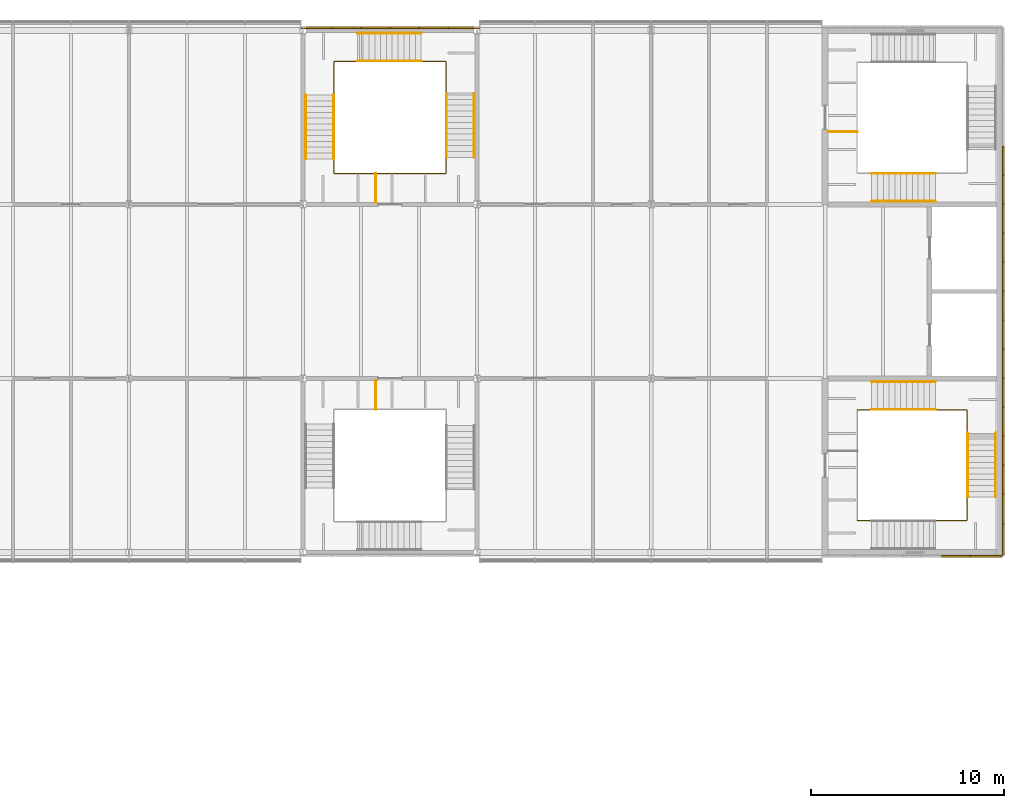
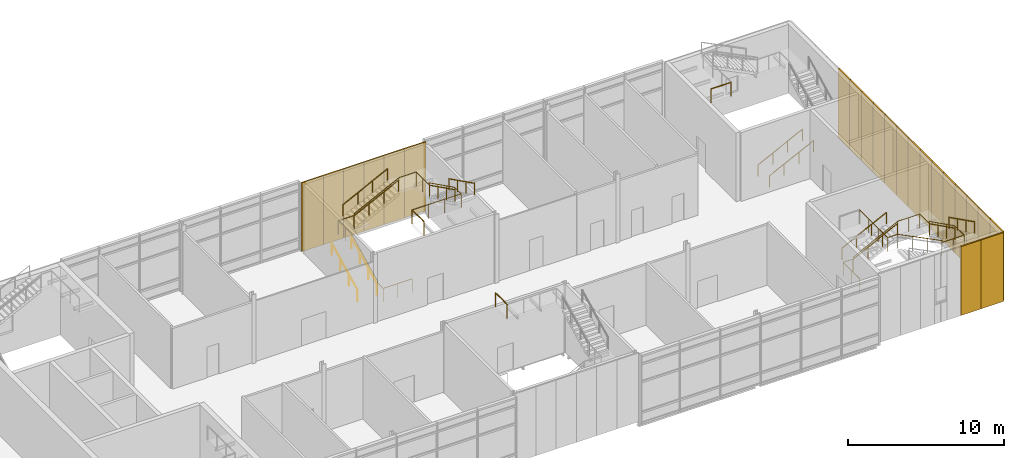
# One storey, part 51 of 52: 22 coverings, 17 railings.
"""IFC4 building model written with IfcOpenShell, lengths in metres."""

from ifc_helpers import new_model, si_unit, direction, frame, origin, origin_2d, place, context, subcontext, project, spatial, rectangle, circle, extrude, material, layer, layer_set, type_object, element, save


model = new_model("IFC4")

# Units and contexts
model_context = context("Model", 3, precision=1e-05, world=origin(), true_north=direction((0.0, 1.0)))
body_context = subcontext(model_context, "Body", "Model", "MODEL_VIEW")
ifc_project = project(units=[si_unit("LENGTHUNIT", "METRE"), si_unit("AREAUNIT", "SQUARE_METRE"), si_unit("VOLUMEUNIT", "CUBIC_METRE"), si_unit("PLANEANGLEUNIT", "RADIAN"), si_unit("MASSUNIT", "GRAM", prefix="KILO")], contexts=[model_context])

# Site, building, storey
site_placement = place(None, origin())
site = spatial("IfcSite", under=ifc_project, at=site_placement, CompositionType="ELEMENT")
building_placement = place(site_placement, origin())
building = spatial("IfcBuilding", under=site, at=building_placement, Name="Azimuth Sports and Learning Centre", CompositionType="ELEMENT")
storey_placement = place(building_placement, frame((0.0, 0.0, 16.199951171875)))
storey = spatial("IfcBuildingStorey", under=building, at=storey_placement, Name="L03", CompositionType="ELEMENT", Elevation=16.199951171875)

# Coverings
ifc_material_1 = material(Name="Cladding panel")
ifc_layer = layer(ifc_material_1, 0.10009765625)
ifc_layer_set = layer_set([ifc_layer], Name="Cladding panel")
covering_type = type_object("IfcCoveringType", Name="Cladding panel 100", PredefinedType="CLADDING", material=ifc_layer_set)
covering_1_placement = place(storey_placement, frame((168.75, 89.800048828125, 0.0), z_axis=(0.0, 0.0, 1.0), x_axis=(1.0, 0.0, 0.0)))
element("IfcCovering", 1, at=covering_1_placement, inside=storey, type_object=covering_type, Name="Cladding panel S-END E L03 9", PredefinedType="CLADDING", context=body_context, shape_type="SweptSolid", body=[
    extrude(rectangle(XDim=1.5, YDim=0.10009765625, at=origin_2d()), origin(), (0.0, 0.0, 1.0), 5.39990234375),
])
for number, where, z_axis, x_axis, name in (
    (2, (170.324951171875, 89.800048828125, 0.0), (0.0, 0.0, 1.0), (1.0, 0.0, 0.0), "Cladding panel S-END E L03 10"),
    (3, (171.199951171875, 90.675048828125, 0.0), (0.0, 0.0, 1.0), (0.0, 1.0, 0.0), "Cladding panel E-END E L03 1"),
):
    element("IfcCovering", number, at=place(storey_placement, frame(where, z_axis=z_axis, x_axis=x_axis)), inside=storey, type_object=covering_type, Name=name, PredefinedType="CLADDING", context=body_context, shape_type="SweptSolid", body=[
        extrude(rectangle(XDim=1.64990234375, YDim=0.10009765625, at=origin_2d()), origin(), (0.0, 0.0, 1.0), 5.39990234375),
    ])
for number, where, z_axis, x_axis, name in (
    (4, (171.199951171875, 92.25, 0.0), (0.0, 0.0, 1.0), (0.0, 1.0, 0.0), "Cladding panel E-END E L03 2"),
    (5, (171.199951171875, 93.75, 0.0), (0.0, 0.0, 1.0), (0.0, 1.0, 0.0), "Cladding panel E-END E L03 3"),
    (6, (171.199951171875, 95.25, 0.0), (0.0, 0.0, 1.0), (0.0, 1.0, 0.0), "Cladding panel E-END E L03 4"),
    (7, (171.199951171875, 96.75, 0.0), (0.0, 0.0, 1.0), (0.0, 1.0, 0.0), "Cladding panel E-END E L03 5"),
    (8, (171.199951171875, 98.25, 0.0), (0.0, 0.0, 1.0), (0.0, 1.0, 0.0), "Cladding panel E-END E L03 6"),
    (9, (171.199951171875, 99.75, 0.0), (0.0, 0.0, 1.0), (0.0, 1.0, 0.0), "Cladding panel E-END E L03 7"),
    (10, (171.199951171875, 101.25, 0.0), (0.0, 0.0, 1.0), (0.0, 1.0, 0.0), "Cladding panel E-END E L03 8"),
    (11, (171.199951171875, 102.75, 0.0), (0.0, 0.0, 1.0), (0.0, 1.0, 0.0), "Cladding panel E-END E L03 9"),
    (12, (171.199951171875, 104.25, 0.0), (0.0, 0.0, 1.0), (0.0, 1.0, 0.0), "Cladding panel E-END E L03 10"),
    (13, (171.199951171875, 105.75, 0.0), (0.0, 0.0, 1.0), (0.0, 1.0, 0.0), "Cladding panel E-END E L03 11"),
    (14, (171.199951171875, 107.25, 0.0), (0.0, 0.0, 1.0), (0.0, 1.0, 0.0), "Cladding panel E-END E L03 12"),
    (15, (171.199951171875, 108.75, 0.0), (0.0, 0.0, 1.0), (0.0, 1.0, 0.0), "Cladding panel E-END E L03 13"),
    (16, (171.199951171875, 110.25, 0.0), (0.0, 0.0, 1.0), (0.0, 1.0, 0.0), "Cladding panel E-END E L03 14"),
):
    element("IfcCovering", number, at=place(storey_placement, frame(where, z_axis=z_axis, x_axis=x_axis)), inside=storey, type_object=covering_type, Name=name, PredefinedType="CLADDING", context=body_context, shape_type="SweptSolid", body=[
        extrude(rectangle(XDim=1.5, YDim=0.10009765625, at=origin_2d()), origin(), (0.0, 0.0, 1.0), 5.39990234375),
    ])
covering_2_placement = place(storey_placement, frame((143.300048828125, 117.14990234375, 0.0), z_axis=(0.0, 0.0, 1.0), x_axis=(-1.0, 0.0, 0.0)))
element("IfcCovering", 17, at=covering_2_placement, inside=storey, type_object=covering_type, Name="Cladding panel N-EM2 L03 1", PredefinedType="CLADDING", context=body_context, shape_type="SweptSolid", body=[
    extrude(rectangle(XDim=1.60009765625, YDim=0.10009765625, at=origin_2d()), origin(), (0.0, 0.0, 1.0), 5.39990234375),
])
for number, where, z_axis, x_axis, name in (
    (18, (141.75, 117.14990234375, 0.0), (0.0, 0.0, 1.0), (-1.0, 0.0, 0.0), "Cladding panel N-EM2 L03 2"),
    (19, (140.25, 117.14990234375, 0.0), (0.0, 0.0, 1.0), (-1.0, 0.0, 0.0), "Cladding panel N-EM2 L03 3"),
    (20, (138.75, 117.14990234375, 0.0), (0.0, 0.0, 1.0), (-1.0, 0.0, 0.0), "Cladding panel N-EM2 L03 4"),
    (21, (137.25, 117.14990234375, 0.0), (0.0, 0.0, 1.0), (-1.0, 0.0, 0.0), "Cladding panel N-EM2 L03 5"),
):
    element("IfcCovering", number, at=place(storey_placement, frame(where, z_axis=z_axis, x_axis=x_axis)), inside=storey, type_object=covering_type, Name=name, PredefinedType="CLADDING", context=body_context, shape_type="SweptSolid", body=[
        extrude(rectangle(XDim=1.5, YDim=0.10009765625, at=origin_2d()), origin(), (0.0, 0.0, 1.0), 5.39990234375),
    ])
covering_3_placement = place(storey_placement, frame((135.699951171875, 117.14990234375, 0.0), z_axis=(0.0, 0.0, 1.0), x_axis=(-1.0, 0.0, 0.0)))
element("IfcCovering", 22, at=covering_3_placement, inside=storey, type_object=covering_type, Name="Cladding panel N-EM2 L03 6", PredefinedType="CLADDING", context=body_context, shape_type="SweptSolid", body=[
    extrude(rectangle(XDim=1.60009765625, YDim=0.10009765625, at=origin_2d()), origin(), (0.0, 0.0, 1.0), 5.39990234375),
])

# Railings
ifc_material_2 = material(Name="Stainless steel", Category="steel")
railing_type_1 = type_object("IfcRailingType", Name="Stair guard 1100", PredefinedType="GUARDRAIL", material=ifc_material_2)
railing_1_placement = place(storey_placement, frame((163.659912109375, 95.25, 0.0)))
element("IfcRailing", 23, at=railing_1_placement, inside=storey, type_object=railing_type_1, Name="Guard EW1 L03 well", PredefinedType="GUARDRAIL", context=body_context, shape_type="SweptSolid", body=[
    extrude(circle(Radius=0.02392578125, at=origin_2d()), frame((0.0, 0.0, 1.076171875), z_axis=(0.0, 1.0, 0.0), x_axis=(-1.0, 0.0, 0.0)), (0.0, 0.0, 1.0), 2.114990234375),
    extrude(circle(Radius=0.02392578125, at=origin_2d()), frame((0.0, 2.114990234375, 1.076171875), z_axis=(1.0, 0.0, 0.0), x_axis=(0.0, 1.0, 0.0)), (0.0, 0.0, 1.0), 0.75),
    extrude(circle(Radius=0.02392578125, at=origin_2d()), frame((0.75, 2.114990234375, 1.076171875), z_axis=(0.0, 0.0, 1.0), x_axis=(1.0, 0.0, 0.0)), (0.0, 0.0, 1.0), 0.150146484375),
    extrude(circle(Radius=0.02392578125, at=origin_2d()), frame((0.75, 2.114990234375, 1.22607421875), z_axis=(0.894440424912, 0.0, 0.447187126696), x_axis=(0.0, 1.0, 0.0)), (0.0, 0.0, 1.0), 3.689453125),
    extrude(circle(Radius=0.02392578125, at=origin_2d()), frame((4.050048828125, 2.114990234375, 2.8759765625), z_axis=(1.0, 0.0, 0.0), x_axis=(0.0, 1.0, 0.0)), (0.0, 0.0, 1.0), 1.630126953125),
    extrude(circle(Radius=0.02392578125, at=origin_2d()), frame((5.68017578125, 2.114990234375, 2.8759765625), z_axis=(0.0, -1.0, 0.0), x_axis=(1.0, 0.0, 0.0)), (0.0, 0.0, 1.0), 1.199951171875),
    extrude(circle(Radius=0.02392578125, at=origin_2d()), frame((5.68017578125, 0.9150390625, 2.8759765625), z_axis=(0.0, 0.0, 1.0), x_axis=(1.0, 0.0, 0.0)), (0.0, 0.0, 1.0), 0.14990234375),
    extrude(circle(Radius=0.02392578125, at=origin_2d()), frame((5.68017578125, 0.9150390625, 3.02587890625), z_axis=(0.0, -0.894413956696, 0.447240063129), x_axis=(1.0, 0.0, 0.0)), (0.0, 0.0, 1.0), 3.689697265625),
    extrude(circle(Radius=0.02392578125, at=origin_2d()), frame((5.68017578125, -2.385009765625, 4.67626953125), z_axis=(0.0, -1.0, 0.0), x_axis=(1.0, 0.0, 0.0)), (0.0, 0.0, 1.0), 1.205078125),
    extrude(circle(Radius=0.02392578125, at=origin_2d()), frame((5.68017578125, -3.590087890625, 4.67626953125), z_axis=(-1.0, 0.0, 0.0), x_axis=(0.0, -1.0, 0.0)), (0.0, 0.0, 1.0), 1.650146484375),
    extrude(circle(Radius=0.02392578125, at=origin_2d()), frame((4.030029296875, -3.590087890625, 4.67626953125), z_axis=(0.0, 0.0, 1.0), x_axis=(1.0, 0.0, 0.0)), (0.0, 0.0, 1.0), 0.14990234375),
    extrude(circle(Radius=0.02392578125, at=origin_2d()), frame((4.030029296875, -3.590087890625, 4.826171875), z_axis=(-0.894413956696, 0.0, 0.447240063129), x_axis=(0.0, -1.0, 0.0)), (0.0, 0.0, 1.0), 3.689697265625),
    extrude(circle(Radius=0.02392578125, at=origin_2d()), frame((0.72998046875, -3.590087890625, 6.47607421875), z_axis=(-1.0, 0.0, 0.0), x_axis=(0.0, -1.0, 0.0)), (0.0, 0.0, 1.0), 0.72998046875),
    extrude(circle(Radius=0.02392578125, at=origin_2d()), frame((0.0, -3.590087890625, 6.47607421875), z_axis=(0.0, 1.0, 0.0), x_axis=(-1.0, 0.0, 0.0)), (0.0, 0.0, 1.0), 3.590087890625),
    extrude(circle(Radius=0.01611328125, at=origin_2d()), origin(), (0.0, 0.0, 1.0), 1.052001953125),
    extrude(circle(Radius=0.01611328125, at=origin_2d()), frame((0.0, 1.0576171875, 0.0)), (0.0, 0.0, 1.0), 1.052001953125),
    extrude(circle(Radius=0.01611328125, at=origin_2d()), frame((0.0, 2.114990234375, 0.0)), (0.0, 0.0, 1.0), 1.052001953125),
    extrude(circle(Radius=0.01611328125, at=origin_2d()), frame((0.75, 2.114990234375, 0.0)), (0.0, 0.0, 1.0), 1.052001953125),
    extrude(circle(Radius=0.01611328125, at=origin_2d()), frame((0.75, 2.114990234375, 0.150146484375)), (0.0, 0.0, 1.0), 1.052001953125),
    extrude(circle(Radius=0.01611328125, at=origin_2d()), frame((1.85009765625, 2.114990234375, 0.7001953125)), (0.0, 0.0, 1.0), 1.052001953125),
    extrude(circle(Radius=0.01611328125, at=origin_2d()), frame((2.949951171875, 2.114990234375, 1.25)), (0.0, 0.0, 1.0), 1.052001953125),
    extrude(circle(Radius=0.01611328125, at=origin_2d()), frame((4.050048828125, 2.114990234375, 1.800048828125)), (0.0, 0.0, 1.0), 1.052001953125),
    extrude(circle(Radius=0.01611328125, at=origin_2d()), frame((4.865234375, 2.114990234375, 1.800048828125)), (0.0, 0.0, 1.0), 1.052001953125),
    extrude(circle(Radius=0.01611328125, at=origin_2d()), frame((5.68017578125, 2.114990234375, 1.800048828125)), (0.0, 0.0, 1.0), 1.052001953125),
    extrude(circle(Radius=0.01611328125, at=origin_2d()), frame((5.68017578125, 0.9150390625, 1.800048828125)), (0.0, 0.0, 1.0), 1.052001953125),
    extrude(circle(Radius=0.01611328125, at=origin_2d()), frame((5.68017578125, 0.9150390625, 1.949951171875)), (0.0, 0.0, 1.0), 1.052001953125),
    extrude(circle(Radius=0.01611328125, at=origin_2d()), frame((5.68017578125, -0.18505859375, 2.5)), (0.0, 0.0, 1.0), 1.052001953125),
    extrude(circle(Radius=0.01611328125, at=origin_2d()), frame((5.68017578125, -1.284912109375, 3.050048828125)), (0.0, 0.0, 1.0), 1.052001953125),
    extrude(circle(Radius=0.01611328125, at=origin_2d()), frame((5.68017578125, -2.385009765625, 3.60009765625)), (0.0, 0.0, 1.0), 1.052001953125),
    extrude(circle(Radius=0.01611328125, at=origin_2d()), frame((5.68017578125, -3.590087890625, 3.60009765625)), (0.0, 0.0, 1.0), 1.052001953125),
    extrude(circle(Radius=0.01611328125, at=origin_2d()), frame((4.85498046875, -3.590087890625, 3.60009765625)), (0.0, 0.0, 1.0), 1.052001953125),
    extrude(circle(Radius=0.01611328125, at=origin_2d()), frame((4.030029296875, -3.590087890625, 3.60009765625)), (0.0, 0.0, 1.0), 1.052001953125),
    extrude(circle(Radius=0.01611328125, at=origin_2d()), frame((4.030029296875, -3.590087890625, 3.75)), (0.0, 0.0, 1.0), 1.052001953125),
    extrude(circle(Radius=0.01611328125, at=origin_2d()), frame((2.929931640625, -3.590087890625, 4.300048828125)), (0.0, 0.0, 1.0), 1.052001953125),
    extrude(circle(Radius=0.01611328125, at=origin_2d()), frame((1.830078125, -3.590087890625, 4.85009765625)), (0.0, 0.0, 1.0), 1.052001953125),
    extrude(circle(Radius=0.01611328125, at=origin_2d()), frame((0.72998046875, -3.590087890625, 5.400146484375)), (0.0, 0.0, 1.0), 1.052001953125),
    extrude(circle(Radius=0.01611328125, at=origin_2d()), frame((0.0, -3.590087890625, 5.400146484375)), (0.0, 0.0, 1.0), 1.052001953125),
    extrude(circle(Radius=0.01611328125, at=origin_2d()), frame((0.0, -2.393310546875, 5.400146484375)), (0.0, 0.0, 1.0), 1.052001953125),
    extrude(circle(Radius=0.01611328125, at=origin_2d()), frame((0.0, -1.19677734375, 5.400146484375)), (0.0, 0.0, 1.0), 1.052001953125),
    extrude(circle(Radius=0.01611328125, at=origin_2d()), frame((0.0, 0.0, 5.400146484375)), (0.0, 0.0, 1.0), 1.052001953125),
])
railing_2_placement = place(storey_placement, frame((163.659912109375, 111.75, 5.400146484375)))
element("IfcRailing", 24, at=railing_2_placement, inside=storey, type_object=railing_type_1, Name="Guard EW2 L03 top landing end", PredefinedType="GUARDRAIL", context=body_context, shape_type="SweptSolid", body=[
    extrude(circle(Radius=0.02392578125, at=origin_2d()), frame((0.0, 0.0, 1.076171875), z_axis=(-1.0, 0.0, 0.0), x_axis=(0.0, -1.0, 0.0)), (0.0, 0.0, 1.0), 1.5),
    extrude(circle(Radius=0.01611328125, at=origin_2d()), origin(), (0.0, 0.0, 1.0), 1.052001953125),
    extrude(circle(Radius=0.01611328125, at=origin_2d()), frame((-1.5, 0.0, 0.0)), (0.0, 0.0, 1.0), 1.052001953125),
])
railing_3_placement = place(storey_placement, frame((138.75, 97.389892578125, 5.400146484375)))
element("IfcRailing", 25, at=railing_3_placement, inside=storey, type_object=railing_type_1, Name="Guard EM1 L03 top landing end", PredefinedType="GUARDRAIL", context=body_context, shape_type="SweptSolid", body=[
    extrude(circle(Radius=0.02392578125, at=origin_2d()), frame((0.0, 0.0, 1.076171875), z_axis=(0.0, 1.0, 0.0), x_axis=(-1.0, 0.0, 0.0)), (0.0, 0.0, 1.0), 1.5),
    extrude(circle(Radius=0.01611328125, at=origin_2d()), origin(), (0.0, 0.0, 1.0), 1.052001953125),
    extrude(circle(Radius=0.01611328125, at=origin_2d()), frame((0.0, 1.5, 0.0)), (0.0, 0.0, 1.0), 1.052001953125),
])
railing_4_placement = place(storey_placement, frame((138.75, 109.610107421875, 0.0)))
element("IfcRailing", 26, at=railing_4_placement, inside=storey, type_object=railing_type_1, Name="Guard EM2 L03 well", PredefinedType="GUARDRAIL", context=body_context, shape_type="SweptSolid", body=[
    extrude(circle(Radius=0.02392578125, at=origin_2d()), frame((0.0, 0.0, 1.076171875), z_axis=(-1.0, 0.0, 0.0), x_axis=(0.0, -1.0, 0.0)), (0.0, 0.0, 1.0), 2.139892578125),
    extrude(circle(Radius=0.02392578125, at=origin_2d()), frame((-2.139892578125, 0.0, 1.076171875), z_axis=(0.0, 1.0, 0.0), x_axis=(-1.0, 0.0, 0.0)), (0.0, 0.0, 1.0), 0.75),
    extrude(circle(Radius=0.02392578125, at=origin_2d()), frame((-2.139892578125, 0.75, 1.076171875), z_axis=(0.0, 0.0, 1.0), x_axis=(1.0, 0.0, 0.0)), (0.0, 0.0, 1.0), 0.150146484375),
    extrude(circle(Radius=0.02392578125, at=origin_2d()), frame((-2.139892578125, 0.75, 1.22607421875), z_axis=(0.0, 0.894427191, 0.4472135955), x_axis=(-1.0, 0.0, 0.0)), (0.0, 0.0, 1.0), 3.689208984375),
    extrude(circle(Radius=0.02392578125, at=origin_2d()), frame((-2.139892578125, 4.0498046875, 2.8759765625), z_axis=(0.0, 1.0, 0.0), x_axis=(-1.0, 0.0, 0.0)), (0.0, 0.0, 1.0), 1.72998046875),
    extrude(circle(Radius=0.02392578125, at=origin_2d()), frame((-2.139892578125, 5.77978515625, 2.8759765625), z_axis=(1.0, 0.0, 0.0), x_axis=(0.0, 1.0, 0.0)), (0.0, 0.0, 1.0), 1.199951171875),
    extrude(circle(Radius=0.02392578125, at=origin_2d()), frame((-0.93994140625, 5.77978515625, 2.8759765625), z_axis=(0.0, 0.0, 1.0), x_axis=(1.0, 0.0, 0.0)), (0.0, 0.0, 1.0), 0.14990234375),
    extrude(circle(Radius=0.02392578125, at=origin_2d()), frame((-0.93994140625, 5.77978515625, 3.02587890625), z_axis=(0.894413956696, 0.0, 0.447240063129), x_axis=(0.0, 1.0, 0.0)), (0.0, 0.0, 1.0), 3.689697265625),
    extrude(circle(Radius=0.02392578125, at=origin_2d()), frame((2.360107421875, 5.77978515625, 4.67626953125), z_axis=(1.0, 0.0, 0.0), x_axis=(0.0, 1.0, 0.0)), (0.0, 0.0, 1.0), 1.27978515625),
    extrude(circle(Radius=0.02392578125, at=origin_2d()), frame((3.639892578125, 5.77978515625, 4.67626953125), z_axis=(0.0, -1.0, 0.0), x_axis=(1.0, 0.0, 0.0)), (0.0, 0.0, 1.0), 1.64990234375),
    extrude(circle(Radius=0.02392578125, at=origin_2d()), frame((3.639892578125, 4.1298828125, 4.67626953125), z_axis=(0.0, 0.0, 1.0), x_axis=(1.0, 0.0, 0.0)), (0.0, 0.0, 1.0), 0.14990234375),
    extrude(circle(Radius=0.02392578125, at=origin_2d()), frame((3.639892578125, 4.1298828125, 4.826171875), z_axis=(0.0, -0.894413956696, 0.447240063129), x_axis=(1.0, 0.0, 0.0)), (0.0, 0.0, 1.0), 3.689697265625),
    extrude(circle(Radius=0.02392578125, at=origin_2d()), frame((3.639892578125, 0.829833984375, 6.47607421875), z_axis=(0.0, -1.0, 0.0), x_axis=(1.0, 0.0, 0.0)), (0.0, 0.0, 1.0), 0.829833984375),
    extrude(circle(Radius=0.02392578125, at=origin_2d()), frame((3.639892578125, 0.0, 6.47607421875), z_axis=(-1.0, 0.0, 0.0), x_axis=(0.0, -1.0, 0.0)), (0.0, 0.0, 1.0), 3.639892578125),
    extrude(circle(Radius=0.01611328125, at=origin_2d()), origin(), (0.0, 0.0, 1.0), 1.052001953125),
    extrude(circle(Radius=0.01611328125, at=origin_2d()), frame((-1.06982421875, 0.0, 0.0)), (0.0, 0.0, 1.0), 1.052001953125),
    extrude(circle(Radius=0.01611328125, at=origin_2d()), frame((-2.139892578125, 0.0, 0.0)), (0.0, 0.0, 1.0), 1.052001953125),
    extrude(circle(Radius=0.01611328125, at=origin_2d()), frame((-2.139892578125, 0.75, 0.0)), (0.0, 0.0, 1.0), 1.052001953125),
    extrude(circle(Radius=0.01611328125, at=origin_2d()), frame((-2.139892578125, 0.75, 0.150146484375)), (0.0, 0.0, 1.0), 1.052001953125),
    extrude(circle(Radius=0.01611328125, at=origin_2d()), frame((-2.139892578125, 1.849853515625, 0.7001953125)), (0.0, 0.0, 1.0), 1.052001953125),
    extrude(circle(Radius=0.01611328125, at=origin_2d()), frame((-2.139892578125, 2.949951171875, 1.25)), (0.0, 0.0, 1.0), 1.052001953125),
    extrude(circle(Radius=0.01611328125, at=origin_2d()), frame((-2.139892578125, 4.0498046875, 1.800048828125)), (0.0, 0.0, 1.0), 1.052001953125),
    extrude(circle(Radius=0.01611328125, at=origin_2d()), frame((-2.139892578125, 4.914794921875, 1.800048828125)), (0.0, 0.0, 1.0), 1.052001953125),
    extrude(circle(Radius=0.01611328125, at=origin_2d()), frame((-2.139892578125, 5.77978515625, 1.800048828125)), (0.0, 0.0, 1.0), 1.052001953125),
    extrude(circle(Radius=0.01611328125, at=origin_2d()), frame((-0.93994140625, 5.77978515625, 1.800048828125)), (0.0, 0.0, 1.0), 1.052001953125),
    extrude(circle(Radius=0.01611328125, at=origin_2d()), frame((-0.93994140625, 5.77978515625, 1.949951171875)), (0.0, 0.0, 1.0), 1.052001953125),
    extrude(circle(Radius=0.01611328125, at=origin_2d()), frame((0.16015625, 5.77978515625, 2.5)), (0.0, 0.0, 1.0), 1.052001953125),
    extrude(circle(Radius=0.01611328125, at=origin_2d()), frame((1.260009765625, 5.77978515625, 3.050048828125)), (0.0, 0.0, 1.0), 1.052001953125),
    extrude(circle(Radius=0.01611328125, at=origin_2d()), frame((2.360107421875, 5.77978515625, 3.60009765625)), (0.0, 0.0, 1.0), 1.052001953125),
    extrude(circle(Radius=0.01611328125, at=origin_2d()), frame((3.639892578125, 5.77978515625, 3.60009765625)), (0.0, 0.0, 1.0), 1.052001953125),
    extrude(circle(Radius=0.01611328125, at=origin_2d()), frame((3.639892578125, 4.954833984375, 3.60009765625)), (0.0, 0.0, 1.0), 1.052001953125),
    extrude(circle(Radius=0.01611328125, at=origin_2d()), frame((3.639892578125, 4.1298828125, 3.60009765625)), (0.0, 0.0, 1.0), 1.052001953125),
    extrude(circle(Radius=0.01611328125, at=origin_2d()), frame((3.639892578125, 4.1298828125, 3.75)), (0.0, 0.0, 1.0), 1.052001953125),
    extrude(circle(Radius=0.01611328125, at=origin_2d()), frame((3.639892578125, 3.02978515625, 4.300048828125)), (0.0, 0.0, 1.0), 1.052001953125),
    extrude(circle(Radius=0.01611328125, at=origin_2d()), frame((3.639892578125, 1.929931640625, 4.85009765625)), (0.0, 0.0, 1.0), 1.052001953125),
    extrude(circle(Radius=0.01611328125, at=origin_2d()), frame((3.639892578125, 0.829833984375, 5.400146484375)), (0.0, 0.0, 1.0), 1.052001953125),
    extrude(circle(Radius=0.01611328125, at=origin_2d()), frame((3.639892578125, 0.0, 5.400146484375)), (0.0, 0.0, 1.0), 1.052001953125),
    extrude(circle(Radius=0.01611328125, at=origin_2d()), frame((2.426513671875, 0.0, 5.400146484375)), (0.0, 0.0, 1.0), 1.052001953125),
    extrude(circle(Radius=0.01611328125, at=origin_2d()), frame((1.21337890625, 0.0, 5.400146484375)), (0.0, 0.0, 1.0), 1.052001953125),
    extrude(circle(Radius=0.01611328125, at=origin_2d()), frame((0.0, 0.0, 5.400146484375)), (0.0, 0.0, 1.0), 1.052001953125),
])
railing_5_placement = place(storey_placement, frame((138.75, 108.110107421875, 5.400146484375)))
element("IfcRailing", 27, at=railing_5_placement, inside=storey, type_object=railing_type_1, Name="Guard EM2 L03 top landing end", PredefinedType="GUARDRAIL", context=body_context, shape_type="SweptSolid", body=[
    extrude(circle(Radius=0.02392578125, at=origin_2d()), frame((0.0, 0.0, 1.076171875), z_axis=(0.0, 1.0, 0.0), x_axis=(-1.0, 0.0, 0.0)), (0.0, 0.0, 1.0), 1.5),
    extrude(circle(Radius=0.01611328125, at=origin_2d()), origin(), (0.0, 0.0, 1.0), 1.052001953125),
    extrude(circle(Radius=0.01611328125, at=origin_2d()), frame((0.0, 1.5, 0.0)), (0.0, 0.0, 1.0), 1.052001953125),
])
ifc_material_3 = material(Name="Stainless steel", Category="steel")
railing_type_2 = type_object("IfcRailingType", Name="Stair handrail 42", PredefinedType="HANDRAIL", material=ifc_material_3)
for number, where, name in (
    (28, (164.409912109375, 97.39501953125, 0.150146484375), "Handrail EW1 L03 flight 1 inner"),
    (29, (164.409912109375, 98.8349609375, 0.150146484375), "Handrail EW1 L03 flight 1 outer"),
):
    element("IfcRailing", number, at=place(storey_placement, frame(where)), inside=storey, type_object=railing_type_2, Name=name, PredefinedType="HANDRAIL", context=body_context, shape_type="SweptSolid", body=[
        extrude(circle(Radius=0.02099609375, at=origin_2d()), frame((0.0, 0.0, 0.87890625), z_axis=(0.894440424912, 0.0, 0.447187126696), x_axis=(0.0, 1.0, 0.0)), (0.0, 0.0, 1.0), 3.689453125),
        extrude(circle(Radius=0.01611328125, at=origin_2d()), origin(), (0.0, 0.0, 1.0), 0.85791015625),
        extrude(circle(Radius=0.01611328125, at=origin_2d()), frame((1.10009765625, 0.0, 0.550048828125)), (0.0, 0.0, 1.0), 0.85791015625),
        extrude(circle(Radius=0.01611328125, at=origin_2d()), frame((2.199951171875, 0.0, 1.099853515625)), (0.0, 0.0, 1.0), 0.85791015625),
        extrude(circle(Radius=0.01611328125, at=origin_2d()), frame((3.300048828125, 0.0, 1.64990234375)), (0.0, 0.0, 1.0), 0.85791015625),
    ])
for number, where, name in (
    (30, (169.3701171875, 96.1650390625, 1.949951171875), "Handrail EW1 L03 flight 2 inner"),
    (31, (170.81005859375, 96.1650390625, 1.949951171875), "Handrail EW1 L03 flight 2 outer"),
):
    element("IfcRailing", number, at=place(storey_placement, frame(where)), inside=storey, type_object=railing_type_2, Name=name, PredefinedType="HANDRAIL", context=body_context, shape_type="SweptSolid", body=[
        extrude(circle(Radius=0.02099609375, at=origin_2d()), frame((0.0, 0.0, 0.87890625), z_axis=(0.0, -0.894413956696, 0.447240063129), x_axis=(1.0, 0.0, 0.0)), (0.0, 0.0, 1.0), 3.689697265625),
        extrude(circle(Radius=0.01611328125, at=origin_2d()), origin(), (0.0, 0.0, 1.0), 0.85791015625),
        extrude(circle(Radius=0.01611328125, at=origin_2d()), frame((0.0, -1.10009765625, 0.550048828125)), (0.0, 0.0, 1.0), 0.85791015625),
        extrude(circle(Radius=0.01611328125, at=origin_2d()), frame((0.0, -2.199951171875, 1.10009765625)), (0.0, 0.0, 1.0), 0.85791015625),
        extrude(circle(Radius=0.01611328125, at=origin_2d()), frame((0.0, -3.300048828125, 1.650146484375)), (0.0, 0.0, 1.0), 0.85791015625),
    ])
for number, where, name in (
    (32, (164.409912109375, 109.60498046875, 0.150146484375), "Handrail EW2 L03 flight 1 inner"),
    (33, (164.409912109375, 108.1650390625, 0.150146484375), "Handrail EW2 L03 flight 1 outer"),
):
    element("IfcRailing", number, at=place(storey_placement, frame(where)), inside=storey, type_object=railing_type_2, Name=name, PredefinedType="HANDRAIL", context=body_context, shape_type="SweptSolid", body=[
        extrude(circle(Radius=0.02099609375, at=origin_2d()), frame((0.0, 0.0, 0.87890625), z_axis=(0.894440424912, 0.0, 0.447187126696), x_axis=(0.0, 1.0, 0.0)), (0.0, 0.0, 1.0), 3.689453125),
        extrude(circle(Radius=0.01611328125, at=origin_2d()), origin(), (0.0, 0.0, 1.0), 0.85791015625),
        extrude(circle(Radius=0.01611328125, at=origin_2d()), frame((1.10009765625, 0.0, 0.550048828125)), (0.0, 0.0, 1.0), 0.85791015625),
        extrude(circle(Radius=0.01611328125, at=origin_2d()), frame((2.199951171875, 0.0, 1.099853515625)), (0.0, 0.0, 1.0), 0.85791015625),
        extrude(circle(Radius=0.01611328125, at=origin_2d()), frame((3.300048828125, 0.0, 1.64990234375)), (0.0, 0.0, 1.0), 0.85791015625),
    ])
for number, where, name in (
    (34, (136.580078125, 110.360107421875, 0.150146484375), "Handrail EM2 L03 flight 1 inner"),
    (35, (135.139892578125, 110.360107421875, 0.150146484375), "Handrail EM2 L03 flight 1 outer"),
):
    element("IfcRailing", number, at=place(storey_placement, frame(where)), inside=storey, type_object=railing_type_2, Name=name, PredefinedType="HANDRAIL", context=body_context, shape_type="SweptSolid", body=[
        extrude(circle(Radius=0.02099609375, at=origin_2d()), frame((0.0, 0.0, 0.87890625), z_axis=(0.0, 0.894427191, 0.4472135955), x_axis=(-1.0, 0.0, 0.0)), (0.0, 0.0, 1.0), 3.689208984375),
        extrude(circle(Radius=0.01611328125, at=origin_2d()), origin(), (0.0, 0.0, 1.0), 0.85791015625),
        extrude(circle(Radius=0.01611328125, at=origin_2d()), frame((0.0, 1.099853515625, 0.550048828125)), (0.0, 0.0, 1.0), 0.85791015625),
        extrude(circle(Radius=0.01611328125, at=origin_2d()), frame((0.0, 2.199951171875, 1.099853515625)), (0.0, 0.0, 1.0), 0.85791015625),
        extrude(circle(Radius=0.01611328125, at=origin_2d()), frame((0.0, 3.2998046875, 1.64990234375)), (0.0, 0.0, 1.0), 0.85791015625),
    ])
for number, where, name in (
    (36, (137.81005859375, 115.419921875, 1.949951171875), "Handrail EM2 L03 flight 2 inner"),
    (37, (137.81005859375, 116.860107421875, 1.949951171875), "Handrail EM2 L03 flight 2 outer"),
):
    element("IfcRailing", number, at=place(storey_placement, frame(where)), inside=storey, type_object=railing_type_2, Name=name, PredefinedType="HANDRAIL", context=body_context, shape_type="SweptSolid", body=[
        extrude(circle(Radius=0.02099609375, at=origin_2d()), frame((0.0, 0.0, 0.87890625), z_axis=(0.894413956696, 0.0, 0.447240063129), x_axis=(0.0, 1.0, 0.0)), (0.0, 0.0, 1.0), 3.689697265625),
        extrude(circle(Radius=0.01611328125, at=origin_2d()), origin(), (0.0, 0.0, 1.0), 0.85791015625),
        extrude(circle(Radius=0.01611328125, at=origin_2d()), frame((1.10009765625, 0.0, 0.550048828125)), (0.0, 0.0, 1.0), 0.85791015625),
        extrude(circle(Radius=0.01611328125, at=origin_2d()), frame((2.199951171875, 0.0, 1.10009765625)), (0.0, 0.0, 1.0), 0.85791015625),
        extrude(circle(Radius=0.01611328125, at=origin_2d()), frame((3.300048828125, 0.0, 1.650146484375)), (0.0, 0.0, 1.0), 0.85791015625),
    ])
for number, where, name in (
    (38, (142.419921875, 113.739990234375, 3.75), "Handrail EM2 L03 flight 3 inner"),
    (39, (143.860107421875, 113.739990234375, 3.75), "Handrail EM2 L03 flight 3 outer"),
):
    element("IfcRailing", number, at=place(storey_placement, frame(where)), inside=storey, type_object=railing_type_2, Name=name, PredefinedType="HANDRAIL", context=body_context, shape_type="SweptSolid", body=[
        extrude(circle(Radius=0.02099609375, at=origin_2d()), frame((0.0, 0.0, 0.87890625), z_axis=(0.0, -0.894413956696, 0.447240063129), x_axis=(1.0, 0.0, 0.0)), (0.0, 0.0, 1.0), 3.689697265625),
        extrude(circle(Radius=0.01611328125, at=origin_2d()), origin(), (0.0, 0.0, 1.0), 0.85791015625),
        extrude(circle(Radius=0.01611328125, at=origin_2d()), frame((0.0, -1.10009765625, 0.550048828125)), (0.0, 0.0, 1.0), 0.85791015625),
        extrude(circle(Radius=0.01611328125, at=origin_2d()), frame((0.0, -2.199951171875, 1.10009765625)), (0.0, 0.0, 1.0), 0.85791015625),
        extrude(circle(Radius=0.01611328125, at=origin_2d()), frame((0.0, -3.300048828125, 1.650146484375)), (0.0, 0.0, 1.0), 0.85791015625),
    ])

save(model, "model.ifc")
